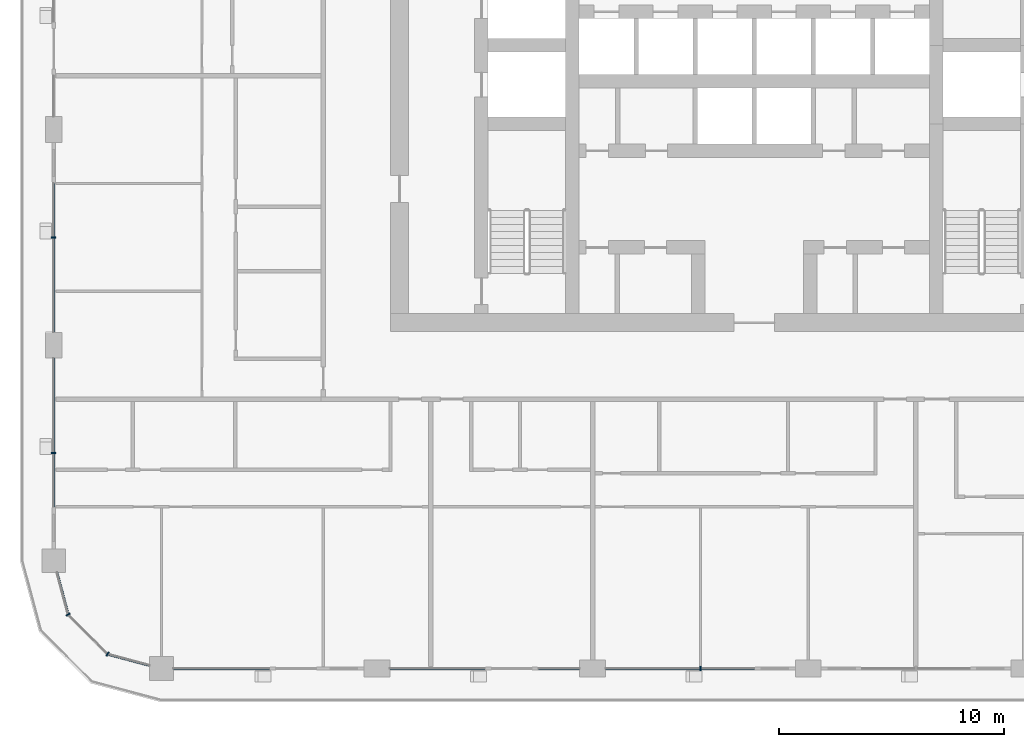
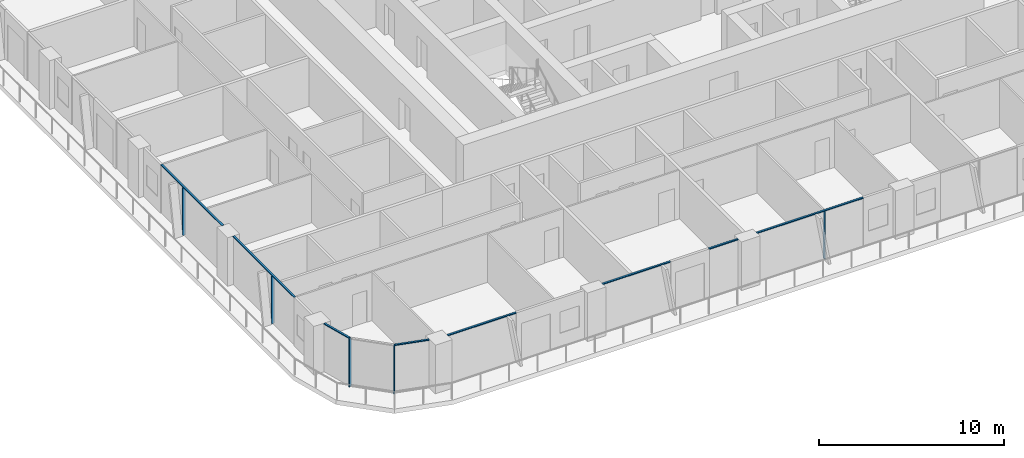
# One storey, part 2 of 22: 13 members, 6 elements without a shape of their own.
"""IFC4 building model written with IfcOpenShell, lengths in metres."""

from ifc_helpers import new_model, si_unit, direction, frame, origin, origin_2d, place, context, subcontext, project, spatial, rectangle, extrude, material, layer, layer_set, material_profile, profile_set, type_object, element, aggregate, save


model = new_model("IFC4")

# Units and contexts
model_context = context("Model", 3, precision=1e-05, world=origin(), true_north=direction((0.0, 1.0)))
body_context = subcontext(model_context, "Body", "Model", "MODEL_VIEW")
ifc_project = project(units=[si_unit("LENGTHUNIT", "METRE"), si_unit("AREAUNIT", "SQUARE_METRE"), si_unit("VOLUMEUNIT", "CUBIC_METRE"), si_unit("PLANEANGLEUNIT", "RADIAN"), si_unit("MASSUNIT", "GRAM", prefix="KILO")], contexts=[model_context])

# Site, building, storey
site_placement = place(None, origin())
site = spatial("IfcSite", under=ifc_project, at=site_placement, CompositionType="ELEMENT")
building_placement = place(site_placement, origin())
building = spatial("IfcBuilding", under=site, at=building_placement, Name="Madar Terraces", CompositionType="ELEMENT")
storey_placement = place(building_placement, frame((0.0, 0.0, 166.5)))
storey = spatial("IfcBuildingStorey", under=building, at=storey_placement, Name="L43", CompositionType="ELEMENT", Elevation=166.5)

# Curtain wall, member
ifc_material_1 = material(Name="Glass, ceramic frit dark grey, with black aluminium frame", Category="aluminium")
ifc_layer = layer(ifc_material_1, 0.199951171875)
ifc_layer_set = layer_set([ifc_layer], Name="Facade curtain wall, fritted glass")
curtain_wall_type = type_object("IfcCurtainWallType", Name="Facade curtain wall, fritted glass", PredefinedType="NOTDEFINED", material=ifc_layer_set)
curtain_wall_1_placement = place(storey_placement, origin())
curtain_wall_1 = element("IfcCurtainWall", 1, at=curtain_wall_1_placement, inside=storey, type_object=curtain_wall_type, Name="Outer skin curtain wall south bay 3", PredefinedType="NOTDEFINED")
ifc_material_2 = material(Name="Aluminium, black anodised", Category="aluminium")
ifc_material_profile_1 = material_profile(ifc_material_2, rectangle(XDim=0.199951171875, YDim=0.06005859375, at=origin_2d()), Name="Facade mullion 60x200")
ifc_profile_set_1 = profile_set([ifc_material_profile_1], Name="Aluminium, black anodised")
member_type_1 = type_object("IfcMemberType", Name="Facade mullion 60x200", PredefinedType="MULLION", material=ifc_profile_set_1)
member_1_placement = place(storey_placement, frame((28.800048828125, 0.0, 0.0), z_axis=(0.0, 0.0, 1.0), x_axis=(0.0, 1.0, 0.0)))
member_1 = element("IfcMember", 2, at=member_1_placement, type_object=member_type_1, Name="Mullion 1", PredefinedType="MULLION", context=body_context, shape_type="SweptSolid", body=[
    extrude(rectangle(XDim=0.199951171875, YDim=0.06005859375, at=origin_2d()), origin(), (0.0, 0.0, 1.0), 3.139892578125),
])

curtain_wall_2_placement = place(storey_placement, origin())
curtain_wall_2 = element("IfcCurtainWall", 3, at=curtain_wall_2_placement, inside=storey, type_object=curtain_wall_type, Name="Outer skin curtain wall west bay 3", PredefinedType="NOTDEFINED")
member_2_placement = place(storey_placement, frame((0.0, 19.199951171875, 0.0), z_axis=(0.0, 0.0, 1.0), x_axis=(1.0, 0.0, 0.0)))
member_2 = element("IfcMember", 4, at=member_2_placement, type_object=member_type_1, Name="Mullion 1", PredefinedType="MULLION", context=body_context, shape_type="SweptSolid", body=[
    extrude(rectangle(XDim=0.199951171875, YDim=0.06005859375, at=origin_2d()), origin(), (0.0, 0.0, 1.0), 3.139892578125),
])

curtain_wall_3_placement = place(storey_placement, origin())
curtain_wall_3 = element("IfcCurtainWall", 5, at=curtain_wall_3_placement, inside=storey, type_object=curtain_wall_type, Name="Outer skin curtain wall west bay 4", PredefinedType="NOTDEFINED")
member_3_placement = place(storey_placement, frame((0.0, 9.60009765625, 0.0), z_axis=(0.0, 0.0, 1.0), x_axis=(1.0, 0.0, 0.0)))
member_3 = element("IfcMember", 6, at=member_3_placement, type_object=member_type_1, Name="Mullion 1", PredefinedType="MULLION", context=body_context, shape_type="SweptSolid", body=[
    extrude(rectangle(XDim=0.199951171875, YDim=0.06005859375, at=origin_2d()), origin(), (0.0, 0.0, 1.0), 3.139892578125),
])

# Curtain wall, members
curtain_wall_4_placement = place(storey_placement, origin())
curtain_wall_4 = element("IfcCurtainWall", 7, at=curtain_wall_4_placement, inside=storey, type_object=curtain_wall_type, Name="Outer skin curtain wall south-west corner", PredefinedType="NOTDEFINED")
member_4_placement = place(storey_placement, frame((0.64306640625, 2.39990234375, 0.0), z_axis=(0.0, 0.0, 1.0), x_axis=(0.866025409797, 0.499999989586, 0.0)))
member_4 = element("IfcMember", 8, at=member_4_placement, type_object=member_type_1, Name="Mullion 1", PredefinedType="MULLION", context=body_context, shape_type="SweptSolid", body=[
    extrude(rectangle(XDim=0.199951171875, YDim=0.06005859375, at=origin_2d()), origin(), (0.0, 0.0, 1.0), 3.139892578125),
])
member_5_placement = place(storey_placement, frame((2.39990234375, 0.64306640625, 0.0), z_axis=(0.0, 0.0, 1.0), x_axis=(0.499999989586, 0.866025409797, 0.0)))
member_5 = element("IfcMember", 9, at=member_5_placement, type_object=member_type_1, Name="Mullion 2", PredefinedType="MULLION", context=body_context, shape_type="SweptSolid", body=[
    extrude(rectangle(XDim=0.199951171875, YDim=0.06005859375, at=origin_2d()), origin(), (0.0, 0.0, 1.0), 3.139892578125),
])

# Curtain wall, member
curtain_wall_5_placement = place(storey_placement, origin())
curtain_wall_5 = element("IfcCurtainWall", 10, at=curtain_wall_5_placement, inside=storey, type_object=curtain_wall_type, Name="Outer skin curtain wall south bay 1", PredefinedType="NOTDEFINED")
ifc_material_3 = material(Name="Aluminium, black anodised", Category="aluminium")
ifc_material_profile_2 = material_profile(ifc_material_3, rectangle(XDim=0.1201171875, YDim=0.06005859375, at=origin_2d()), Name="Facade transom 60x120")
ifc_profile_set_2 = profile_set([ifc_material_profile_2], Name="Aluminium, black anodised")
member_type_2 = type_object("IfcMemberType", Name="Facade transom 60x120", PredefinedType="USERDEFINED", material=ifc_profile_set_2)
member_6_placement = place(storey_placement, frame((5.324951171875, 0.0, 3.169921875), z_axis=(1.0, 0.0, 0.0), x_axis=(0.0, 1.0, 0.0)))
member_6 = element("IfcMember", 11, at=member_6_placement, type_object=member_type_2, Name="Transom 1", ObjectType="TRANSOM", PredefinedType="USERDEFINED", context=body_context, shape_type="SweptSolid", body=[
    extrude(rectangle(XDim=0.1201171875, YDim=0.06005859375, at=origin_2d()), origin(), (0.0, 0.0, 1.0), 4.275146484375),
])
aggregate(curtain_wall_5, [member_6])

# Curtain wall, members
curtain_wall_6_placement = place(storey_placement, origin())
curtain_wall_6 = element("IfcCurtainWall", 12, at=curtain_wall_6_placement, inside=storey, type_object=curtain_wall_type, Name="Outer skin curtain wall south bay 2", PredefinedType="NOTDEFINED")
member_7_placement = place(storey_placement, frame((14.97509765625, 0.0, 3.169921875), z_axis=(1.0, 0.0, 0.0), x_axis=(0.0, 1.0, 0.0)))
member_7 = element("IfcMember", 13, at=member_7_placement, type_object=member_type_2, Name="Transom 1", ObjectType="TRANSOM", PredefinedType="USERDEFINED", context=body_context, shape_type="SweptSolid", body=[
    extrude(rectangle(XDim=0.1201171875, YDim=0.06005859375, at=origin_2d()), origin(), (0.0, 0.0, 1.0), 4.224853515625),
])
member_8_placement = place(storey_placement, frame((21.60009765625, 0.0, 3.169921875), z_axis=(1.0, 0.0, 0.0), x_axis=(0.0, 1.0, 0.0)))
member_8 = element("IfcMember", 14, at=member_8_placement, type_object=member_type_2, Name="Transom 2", ObjectType="TRANSOM", PredefinedType="USERDEFINED", context=body_context, shape_type="SweptSolid", body=[
    extrude(rectangle(XDim=0.1201171875, YDim=0.06005859375, at=origin_2d()), origin(), (0.0, 0.0, 1.0), 1.824951171875),
])
aggregate(curtain_wall_6, [member_7, member_8])

# Member
member_9_placement = place(storey_placement, frame((24.574951171875, 0.0, 3.169921875), z_axis=(1.0, 0.0, 0.0), x_axis=(0.0, 1.0, 0.0)))
member_9 = element("IfcMember", 15, at=member_9_placement, type_object=member_type_2, Name="Transom 1", ObjectType="TRANSOM", PredefinedType="USERDEFINED", context=body_context, shape_type="SweptSolid", body=[
    extrude(rectangle(XDim=0.1201171875, YDim=0.06005859375, at=origin_2d()), origin(), (0.0, 0.0, 1.0), 6.625),
])

aggregate(curtain_wall_1, [member_1, member_9])

member_10_placement = place(storey_placement, frame((0.0, 21.60009765625, 3.169921875), z_axis=(0.0, -1.0, 0.0), x_axis=(1.0, 0.0, 0.0)))
member_10 = element("IfcMember", 16, at=member_10_placement, type_object=member_type_2, Name="Transom 1", ObjectType="TRANSOM", PredefinedType="USERDEFINED", context=body_context, shape_type="SweptSolid", body=[
    extrude(rectangle(XDim=0.1201171875, YDim=0.06005859375, at=origin_2d()), origin(), (0.0, 0.0, 1.0), 6.625),
])

aggregate(curtain_wall_2, [member_2, member_10])

member_11_placement = place(storey_placement, frame((0.0, 13.824951171875, 3.169921875), z_axis=(0.0, -1.0, 0.0), x_axis=(1.0, 0.0, 0.0)))
member_11 = element("IfcMember", 17, at=member_11_placement, type_object=member_type_2, Name="Transom 1", ObjectType="TRANSOM", PredefinedType="USERDEFINED", context=body_context, shape_type="SweptSolid", body=[
    extrude(rectangle(XDim=0.1201171875, YDim=0.06005859375, at=origin_2d()), origin(), (0.0, 0.0, 1.0), 6.625),
])

aggregate(curtain_wall_3, [member_3, member_11])

member_12_placement = place(storey_placement, frame((0.140625, 4.27490234375, 3.169921875), z_axis=(0.258823354654, -0.965924671538, 0.0), x_axis=(0.965924671538, 0.258823354654, 0.0)))
member_12 = element("IfcMember", 18, at=member_12_placement, type_object=member_type_2, Name="Transom 1", ObjectType="TRANSOM", PredefinedType="USERDEFINED", context=body_context, shape_type="SweptSolid", body=[
    extrude(rectangle(XDim=0.1201171875, YDim=0.06005859375, at=origin_2d()), origin(), (0.0, 0.0, 1.0), 1.9111328125),
])

member_13_placement = place(storey_placement, frame((2.428955078125, 0.63525390625, 3.169921875), z_axis=(0.965924671538, -0.258823354654, 0.0), x_axis=(0.258823354654, 0.965924671538, 0.0)))
member_13 = element("IfcMember", 19, at=member_13_placement, type_object=member_type_2, Name="Transom 3", ObjectType="TRANSOM", PredefinedType="USERDEFINED", context=body_context, shape_type="SweptSolid", body=[
    extrude(rectangle(XDim=0.1201171875, YDim=0.06005859375, at=origin_2d()), origin(), (0.0, 0.0, 1.0), 1.9111328125),
])

aggregate(curtain_wall_4, [member_4, member_12, member_5, member_13])

save(model, "model.ifc")
